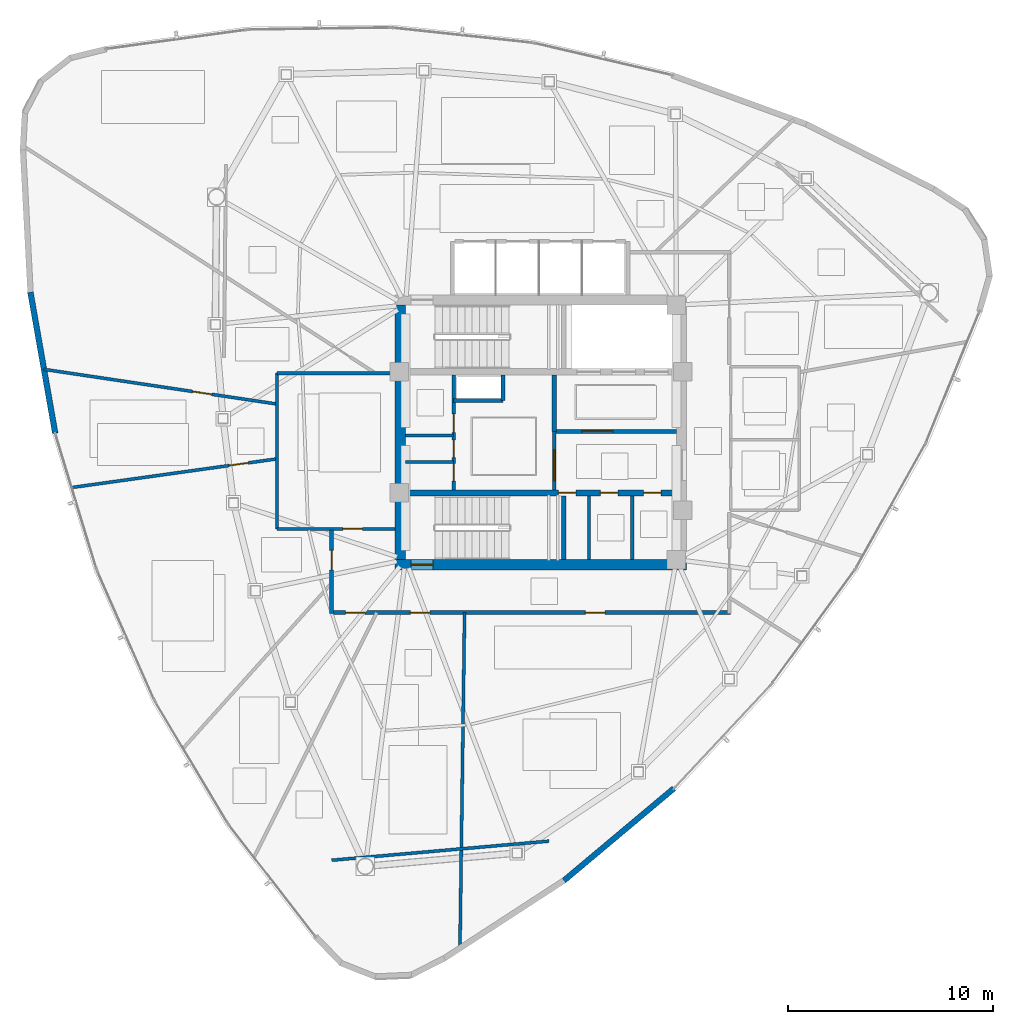
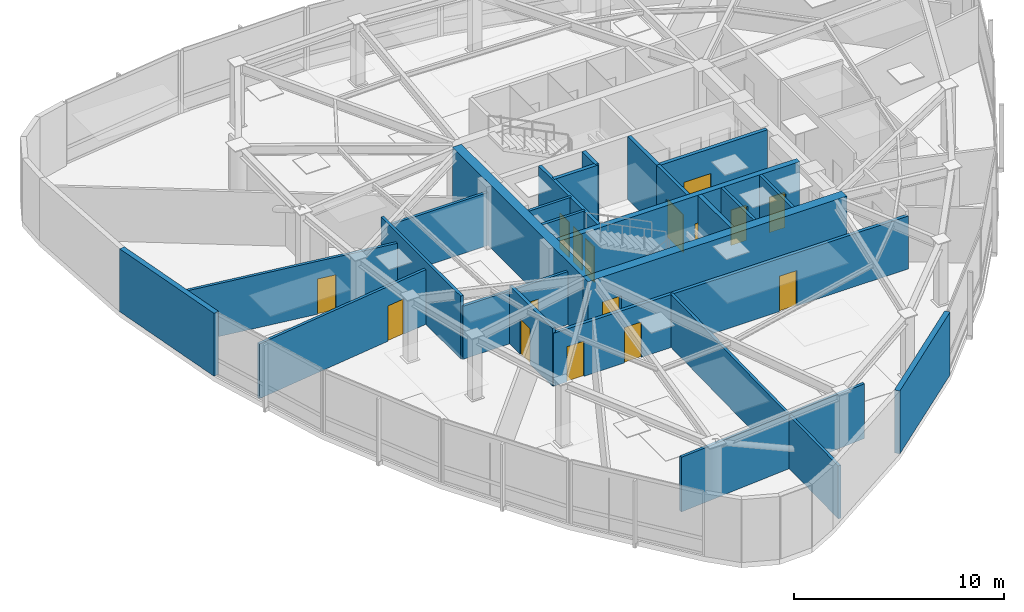
# One storey, part 9 of 14: 25 walls, 16 doors, 16 openings.
"""IFC4 building model written with IfcOpenShell, lengths in metres."""

from ifc_helpers import new_model, si_unit, direction, frame, frame_2d, origin, place, context, subcontext, project, spatial, rectangle, extrude, material, layer, layer_set, type_object, element, fill, save


model = new_model("IFC4")

# Units and contexts
model_context = context("Model", 3, precision=1e-05, world=origin(), true_north=direction((0.0, 1.0)))
body_context = subcontext(model_context, "Body", "Model", "MODEL_VIEW")
ifc_project = project(units=[si_unit("LENGTHUNIT", "METRE"), si_unit("AREAUNIT", "SQUARE_METRE"), si_unit("VOLUMEUNIT", "CUBIC_METRE"), si_unit("PLANEANGLEUNIT", "RADIAN"), si_unit("MASSUNIT", "GRAM", prefix="KILO")], contexts=[model_context])

# Site, building, storey
site_placement = place(None, origin())
site = spatial("IfcSite", under=ifc_project, at=site_placement, CompositionType="ELEMENT")
building_placement = place(site_placement, origin())
building = spatial("IfcBuilding", under=site, at=building_placement, Name="Tavelor Broadcast Tower", CompositionType="ELEMENT")
storey_placement = place(building_placement, frame((0.0, 0.0, 253.75)))
storey = spatial("IfcBuildingStorey", under=building, at=storey_placement, Name="L60", CompositionType="ELEMENT", Elevation=253.75)

# Wall, opening, door
ifc_material_1 = material(Name="Concrete C50/60", Category="concrete")
ifc_layer_1 = layer(ifc_material_1, 0.5)
ifc_layer_set_1 = layer_set([ifc_layer_1], Name="Concrete C50/60")
wall_type_1 = type_object("IfcWallType", Name="Core Shear Wall 500 mm", PredefinedType="SHEAR", material=ifc_layer_set_1)
wall_1_placement = place(storey_placement, frame((42.89990234375, 38.550048828125, 0.0), z_axis=(0.0, 0.0, 1.0), x_axis=(1.0, 0.0, 0.0)))
wall_1 = element("IfcWall", 1, at=wall_1_placement, inside=storey, type_object=wall_type_1, Name="L60 Central Core Shear Wall S", PredefinedType="SHEAR", context=body_context, shape_type="SweptSolid", body=[
    extrude(rectangle(XDim=14.2001953125, YDim=0.5, at=frame_2d((7.10009765625, 0.0))), origin(), (0.0, 0.0, 1.0), 3.64990234375),
])
opening_1_placement = place(wall_1_placement, frame((0.780029296875, 0.0, 0.0)))
opening_1 = element("IfcOpeningElement", 2, at=opening_1_placement, cuts=wall_1, Name="Opening DR11", PredefinedType="OPENING", context=body_context, shape_type="SweptSolid", body=[
    extrude(rectangle(XDim=1.050048828125, YDim=2.199951171875, at=frame_2d((0.52490234375, 1.10009765625))), frame((0.0, 0.260009765625, 0.0), z_axis=(0.0, -1.0, 0.0), x_axis=(1.0, 0.0, 0.0)), (0.0, 0.0, 1.0), 0.52001953125),
])
ifc_material_2 = material(Name="Steel S355", Category="steel")
door_type_1 = type_object("IfcDoorType", Name="Stair Core Fire Escape Door 1050x2200", OperationType="NOTDEFINED", PredefinedType="DOOR", material=ifc_material_2)
door_1_placement = place(opening_1_placement, origin())
door_1 = element("IfcDoor", 3, at=door_1_placement, inside=storey, type_object=door_type_1, Name="L60 Stair ST2 Protected Exit Door", OperationType="SINGLE_SWING_RIGHT", OverallHeight=2.199951171875, OverallWidth=1.050048828125, PredefinedType="DOOR", context=body_context, shape_type="SweptSolid", body=[
    extrude(rectangle(XDim=1.050048828125, YDim=2.199951171875, at=frame_2d((0.52490234375, 1.10009765625))), frame((0.0, 0.02490234375, 0.0), z_axis=(0.0, -1.0, 0.0), x_axis=(1.0, 0.0, 0.0)), (0.0, 0.0, 1.0), 0.050048828125),
])
fill(opening_1, door_1)

# Wall
wall_2_placement = place(storey_placement, frame((43.14990234375, 38.800048828125, 0.0), z_axis=(0.0, 0.0, 1.0), x_axis=(0.0, 1.0, 0.0)))
element("IfcWall", 4, at=wall_2_placement, inside=storey, type_object=wall_type_1, Name="L60 Central Core Shear Wall W", PredefinedType="SHEAR", context=body_context, shape_type="SweptSolid", body=[
    extrude(rectangle(XDim=12.39990234375, YDim=0.5, at=frame_2d((6.199951171875, 0.0))), origin(), (0.0, 0.0, 1.0), 3.64990234375),
])

# Wall, openings, doors
ifc_layer_2 = layer(ifc_material_1, 0.300048828125)
ifc_layer_set_2 = layer_set([ifc_layer_2], Name="Concrete C50/60")
wall_type_2 = type_object("IfcWallType", Name="Core Spine Shear Wall 300 mm C50", PredefinedType="SHEAR", material=ifc_layer_set_2)
wall_3_placement = place(storey_placement, frame((43.39990234375, 42.050048828125, 0.0), z_axis=(0.0, 0.0, 1.0), x_axis=(1.0, 0.0, 0.0)))
wall_3 = element("IfcWall", 5, at=wall_3_placement, inside=storey, type_object=wall_type_2, Name="L60 Central Core Shear Wall SP2", PredefinedType="SHEAR", context=body_context, shape_type="SweptSolid", body=[
    extrude(rectangle(XDim=13.2001953125, YDim=0.300048828125, at=frame_2d((6.60009765625, 0.0))), origin(), (0.0, 0.0, 1.0), 3.64990234375),
])
opening_2_placement = place(wall_3_placement, frame((7.449951171875, 0.0, 0.0)))
opening_2 = element("IfcOpeningElement", 6, at=opening_2_placement, cuts=wall_3, Name="Opening DR36", PredefinedType="OPENING", context=body_context, shape_type="SweptSolid", body=[
    extrude(rectangle(XDim=0.85009765625, YDim=2.050048828125, at=frame_2d((0.425048828125, 1.02490234375))), frame((0.0, 0.16015625, 0.0), z_axis=(0.0, -1.0, 0.0), x_axis=(1.0, 0.0, 0.0)), (0.0, 0.0, 1.0), 0.320068359375),
])
opening_3_placement = place(wall_3_placement, frame((9.5, 0.0, 0.0)))
opening_3 = element("IfcOpeningElement", 7, at=opening_3_placement, cuts=wall_3, Name="Opening DR36", PredefinedType="OPENING", context=body_context, shape_type="SweptSolid", body=[
    extrude(rectangle(XDim=0.85009765625, YDim=2.050048828125, at=frame_2d((0.425048828125, 1.02490234375))), frame((0.0, 0.16015625, 0.0), z_axis=(0.0, -1.0, 0.0), x_axis=(1.0, 0.0, 0.0)), (0.0, 0.0, 1.0), 0.320068359375),
])
opening_4_placement = place(wall_3_placement, frame((11.60009765625, 0.0, 0.0)))
opening_4 = element("IfcOpeningElement", 8, at=opening_4_placement, cuts=wall_3, Name="Opening DR36", PredefinedType="OPENING", context=body_context, shape_type="SweptSolid", body=[
    extrude(rectangle(XDim=0.85009765625, YDim=2.050048828125, at=frame_2d((0.425048828125, 1.02490234375))), frame((0.0, 0.16015625, 0.0), z_axis=(0.0, -1.0, 0.0), x_axis=(1.0, 0.0, 0.0)), (0.0, 0.0, 1.0), 0.320068359375),
])
door_type_2 = type_object("IfcDoorType", Name="Service Room Fire Door 850x2050", OperationType="NOTDEFINED", PredefinedType="DOOR", material=ifc_material_2)
door_2_placement = place(opening_2_placement, origin())
door_2 = element("IfcDoor", 9, at=door_2_placement, inside=storey, type_object=door_type_2, Name="L60 Reclaimed South Core Pod 1 Door", OperationType="SINGLE_SWING_LEFT", OverallHeight=2.050048828125, OverallWidth=0.85009765625, PredefinedType="DOOR", context=body_context, shape_type="SweptSolid", body=[
    extrude(rectangle(XDim=0.85009765625, YDim=2.050048828125, at=frame_2d((0.425048828125, 1.02490234375))), frame((0.0, 0.02490234375, 0.0), z_axis=(0.0, -1.0, 0.0), x_axis=(1.0, 0.0, 0.0)), (0.0, 0.0, 1.0), 0.050048828125),
])
fill(opening_2, door_2)
door_3_placement = place(opening_3_placement, origin())
door_3 = element("IfcDoor", 10, at=door_3_placement, inside=storey, type_object=door_type_2, Name="L60 Reclaimed South Core Pod 2 Door", OperationType="SINGLE_SWING_RIGHT", OverallHeight=2.050048828125, OverallWidth=0.85009765625, PredefinedType="DOOR", context=body_context, shape_type="SweptSolid", body=[
    extrude(rectangle(XDim=0.85009765625, YDim=2.050048828125, at=frame_2d((0.425048828125, 1.02490234375))), frame((0.0, 0.02490234375, 0.0), z_axis=(0.0, -1.0, 0.0), x_axis=(1.0, 0.0, 0.0)), (0.0, 0.0, 1.0), 0.050048828125),
])
fill(opening_3, door_3)
door_4_placement = place(opening_4_placement, origin())
door_4 = element("IfcDoor", 11, at=door_4_placement, inside=storey, type_object=door_type_2, Name="L60 Reclaimed South Core Pod 3 Door", OperationType="SINGLE_SWING_LEFT", OverallHeight=2.050048828125, OverallWidth=0.85009765625, PredefinedType="DOOR", context=body_context, shape_type="SweptSolid", body=[
    extrude(rectangle(XDim=0.85009765625, YDim=2.050048828125, at=frame_2d((0.425048828125, 1.02490234375))), frame((0.0, 0.02490234375, 0.0), z_axis=(0.0, -1.0, 0.0), x_axis=(1.0, 0.0, 0.0)), (0.0, 0.0, 1.0), 0.050048828125),
])
fill(opening_4, door_4)

# Wall, opening, door
ifc_material_3 = material(Name="Calcium Silicate Fire Board 180 mm", Category="gypsum")
ifc_layer_3 = layer(ifc_material_3, 0.179931640625)
ifc_layer_set_3 = layer_set([ifc_layer_3], Name="Calcium Silicate Fire Board 180 mm")
wall_type_3 = type_object("IfcWallType", Name="Fire-Rated Corridor Partition Wall 180 mm", PredefinedType="PARTITIONING", material=ifc_layer_set_3)
wall_4_placement = place(storey_placement, frame((50.64990234375, 42.199951171875, 0.0), z_axis=(0.0, 0.0, 1.0), x_axis=(0.0, 1.0, 0.0)))
wall_4 = element("IfcWall", 12, at=wall_4_placement, inside=storey, type_object=wall_type_3, Name="L60 Core Lobby Zoning Wall", PredefinedType="PARTITIONING", context=body_context, shape_type="SweptSolid", body=[
    extrude(rectangle(XDim=2.85009765625, YDim=0.179931640625, at=frame_2d((1.425048828125, 0.0))), origin(), (0.0, 0.0, 1.0), 3.64990234375),
])
opening_5_placement = place(wall_4_placement, frame((0.449951171875, 0.0, 0.0)))
opening_5 = element("IfcOpeningElement", 13, at=opening_5_placement, cuts=wall_4, Name="Opening DR14", PredefinedType="OPENING", context=body_context, shape_type="SweptSolid", body=[
    extrude(rectangle(XDim=1.5, YDim=2.199951171875, at=frame_2d((0.75, 1.10009765625))), frame((0.0, 0.10009765625, 0.0), z_axis=(0.0, -1.0, 0.0), x_axis=(1.0, 0.0, 0.0)), (0.0, 0.0, 1.0), 0.199951171875),
])
door_type_3 = type_object("IfcDoorType", Name="Firefighting Lobby Double Fire Door 1500x2200", OperationType="NOTDEFINED", PredefinedType="DOOR", material=ifc_material_2)
door_5_placement = place(opening_5_placement, origin())
door_5 = element("IfcDoor", 14, at=door_5_placement, inside=storey, type_object=door_type_3, Name="L60 Core West Lobby Double Fire Door", OperationType="SINGLE_SWING_RIGHT", OverallHeight=2.199951171875, OverallWidth=1.5, PredefinedType="DOOR", context=body_context, shape_type="SweptSolid", body=[
    extrude(rectangle(XDim=1.5, YDim=2.199951171875, at=frame_2d((0.75, 1.10009765625))), frame((0.0, 0.02490234375, 0.0), z_axis=(0.0, -1.0, 0.0), x_axis=(1.0, 0.0, 0.0)), (0.0, 0.0, 1.0), 0.050048828125),
])
fill(opening_5, door_5)

# Wall, openings, doors
wall_5_placement = place(storey_placement, frame((45.75, 42.199951171875, 0.0), z_axis=(0.0, 0.0, 1.0), x_axis=(0.0, 1.0, 0.0)))
wall_5 = element("IfcWall", 15, at=wall_5_placement, inside=storey, type_object=wall_type_3, Name="L60 Core West Service East Wall", PredefinedType="PARTITIONING", context=body_context, shape_type="SweptSolid", body=[
    extrude(rectangle(XDim=5.60009765625, YDim=0.179931640625, at=frame_2d((2.800048828125, 0.0))), origin(), (0.0, 0.0, 1.0), 3.64990234375),
])
opening_6_placement = place(wall_5_placement, frame((0.419921875, 0.0, 0.0)))
opening_6 = element("IfcOpeningElement", 16, at=opening_6_placement, cuts=wall_5, Name="Opening DR36", PredefinedType="OPENING", context=body_context, shape_type="SweptSolid", body=[
    extrude(rectangle(XDim=0.85009765625, YDim=2.050048828125, at=frame_2d((0.425048828125, 1.02490234375))), frame((0.0, 0.10009765625, 0.0), z_axis=(0.0, -1.0, 0.0), x_axis=(1.0, 0.0, 0.0)), (0.0, 0.0, 1.0), 0.199951171875),
])
opening_7_placement = place(wall_5_placement, frame((1.570068359375, 0.0, 0.0)))
opening_7 = element("IfcOpeningElement", 17, at=opening_7_placement, cuts=wall_5, Name="Opening DR36", PredefinedType="OPENING", context=body_context, shape_type="SweptSolid", body=[
    extrude(rectangle(XDim=0.85009765625, YDim=2.050048828125, at=frame_2d((0.425048828125, 1.02490234375))), frame((0.0, 0.10009765625, 0.0), z_axis=(0.0, -1.0, 0.0), x_axis=(1.0, 0.0, 0.0)), (0.0, 0.0, 1.0), 0.199951171875),
])
opening_8_placement = place(wall_5_placement, frame((2.800048828125, 0.0, 0.0)))
opening_8 = element("IfcOpeningElement", 18, at=opening_8_placement, cuts=wall_5, Name="Opening DR32", PredefinedType="OPENING", context=body_context, shape_type="SweptSolid", body=[
    extrude(rectangle(XDim=0.89990234375, YDim=2.050048828125, at=frame_2d((0.449951171875, 1.02490234375))), frame((0.0, 0.10009765625, 0.0), z_axis=(0.0, -1.0, 0.0), x_axis=(1.0, 0.0, 0.0)), (0.0, 0.0, 1.0), 0.199951171875),
])
ifc_material_4 = material(Name="Timber Solid Core Hardwood", Category="wood")
door_type_4 = type_object("IfcDoorType", Name="Accessible Washroom Door 900x2050", OperationType="NOTDEFINED", PredefinedType="DOOR", material=ifc_material_4)
door_6_placement = place(opening_8_placement, origin())
door_6 = element("IfcDoor", 19, at=door_6_placement, inside=storey, type_object=door_type_4, Name="L60 Core Accessible WC Door", OperationType="SINGLE_SWING_LEFT", OverallHeight=2.050048828125, OverallWidth=0.89990234375, PredefinedType="DOOR", context=body_context, shape_type="SweptSolid", body=[
    extrude(rectangle(XDim=0.89990234375, YDim=2.050048828125, at=frame_2d((0.449951171875, 1.02490234375))), frame((0.0, 0.02490234375, 0.0), z_axis=(0.0, -1.0, 0.0), x_axis=(1.0, 0.0, 0.0)), (0.0, 0.0, 1.0), 0.050048828125),
])
fill(opening_8, door_6)
door_7_placement = place(opening_6_placement, origin())
door_7 = element("IfcDoor", 20, at=door_7_placement, inside=storey, type_object=door_type_2, Name="L60 Core Medical Room Door", OperationType="SINGLE_SWING_LEFT", OverallHeight=2.050048828125, OverallWidth=0.85009765625, PredefinedType="DOOR", context=body_context, shape_type="SweptSolid", body=[
    extrude(rectangle(XDim=0.85009765625, YDim=2.050048828125, at=frame_2d((0.425048828125, 1.02490234375))), frame((0.0, 0.02490234375, 0.0), z_axis=(0.0, -1.0, 0.0), x_axis=(1.0, 0.0, 0.0)), (0.0, 0.0, 1.0), 0.050048828125),
])
fill(opening_6, door_7)
door_8_placement = place(opening_7_placement, origin())
door_8 = element("IfcDoor", 21, at=door_8_placement, inside=storey, type_object=door_type_2, Name="L60 Core Copy Room Door", OperationType="SINGLE_SWING_RIGHT", OverallHeight=2.050048828125, OverallWidth=0.85009765625, PredefinedType="DOOR", context=body_context, shape_type="SweptSolid", body=[
    extrude(rectangle(XDim=0.85009765625, YDim=2.050048828125, at=frame_2d((0.425048828125, 1.02490234375))), frame((0.0, 0.02490234375, 0.0), z_axis=(0.0, -1.0, 0.0), x_axis=(1.0, 0.0, 0.0)), (0.0, 0.0, 1.0), 0.050048828125),
])
fill(opening_7, door_8)

wall_6_placement = place(storey_placement, frame((59.22998046875, 36.219970703125, 0.0), z_axis=(0.0, 0.0, 1.0), x_axis=(-1.0, 0.0, 0.0)))
wall_6 = element("IfcWall", 22, at=wall_6_placement, inside=storey, type_object=wall_type_3, Name="L60 Corridor Compartment Wall 04", PredefinedType="PARTITIONING", context=body_context, shape_type="SweptSolid", body=[
    extrude(rectangle(XDim=19.47998046875, YDim=0.179931640625, at=frame_2d((9.739990234375, 0.0))), origin(), (0.0, 0.0, 1.0), 3.074951171875),
])
opening_9_placement = place(wall_6_placement, frame((6.118896484375, 0.0, 0.0)))
opening_9 = element("IfcOpeningElement", 23, at=opening_9_placement, cuts=wall_6, Name="Opening DR18", PredefinedType="OPENING", context=body_context, shape_type="SweptSolid", body=[
    extrude(rectangle(XDim=0.949951171875, YDim=2.050048828125, at=frame_2d((0.47509765625, 1.02490234375))), frame((0.0, 0.10009765625, 0.0), z_axis=(0.0, -1.0, 0.0), x_axis=(1.0, 0.0, 0.0)), (0.0, 0.0, 1.0), 0.199951171875),
])
opening_10_placement = place(wall_6_placement, frame((14.638671875, 0.0, 0.0)))
opening_10 = element("IfcOpeningElement", 24, at=opening_10_placement, cuts=wall_6, Name="Opening DR18", PredefinedType="OPENING", context=body_context, shape_type="SweptSolid", body=[
    extrude(rectangle(XDim=0.949951171875, YDim=2.050048828125, at=frame_2d((0.47509765625, 1.02490234375))), frame((0.0, 0.10009765625, 0.0), z_axis=(0.0, -1.0, 0.0), x_axis=(1.0, 0.0, 0.0)), (0.0, 0.0, 1.0), 0.199951171875),
])
opening_11_placement = place(wall_6_placement, frame((17.794921875, 0.0, 0.0)))
opening_11 = element("IfcOpeningElement", 25, at=opening_11_placement, cuts=wall_6, Name="Opening DR18", PredefinedType="OPENING", context=body_context, shape_type="SweptSolid", body=[
    extrude(rectangle(XDim=0.949951171875, YDim=2.050048828125, at=frame_2d((0.47509765625, 1.02490234375))), frame((0.0, 0.10009765625, 0.0), z_axis=(0.0, -1.0, 0.0), x_axis=(1.0, 0.0, 0.0)), (0.0, 0.0, 1.0), 0.199951171875),
])
door_type_5 = type_object("IfcDoorType", Name="Corridor Rated Compartment Door 950x2050", OperationType="NOTDEFINED", PredefinedType="DOOR", material=ifc_material_4)
door_9_placement = place(opening_9_placement, origin())
door_9 = element("IfcDoor", 26, at=door_9_placement, inside=storey, type_object=door_type_5, Name="L60 Standards Huddle Room Door R0", OperationType="SINGLE_SWING_RIGHT", OverallHeight=2.050048828125, OverallWidth=0.949951171875, PredefinedType="DOOR", context=body_context, shape_type="SweptSolid", body=[
    extrude(rectangle(XDim=0.949951171875, YDim=2.050048828125, at=frame_2d((0.47509765625, 1.02490234375))), frame((0.0, 0.02490234375, 0.0), z_axis=(0.0, -1.0, 0.0), x_axis=(1.0, 0.0, 0.0)), (0.0, 0.0, 1.0), 0.050048828125),
])
fill(opening_9, door_9)
door_10_placement = place(opening_10_placement, origin())
door_10 = element("IfcDoor", 27, at=door_10_placement, inside=storey, type_object=door_type_5, Name="L60 Creative Huddle Room Door R1", OperationType="SINGLE_SWING_LEFT", OverallHeight=2.050048828125, OverallWidth=0.949951171875, PredefinedType="DOOR", context=body_context, shape_type="SweptSolid", body=[
    extrude(rectangle(XDim=0.949951171875, YDim=2.050048828125, at=frame_2d((0.47509765625, 1.02490234375))), frame((0.0, 0.02490234375, 0.0), z_axis=(0.0, -1.0, 0.0), x_axis=(1.0, 0.0, 0.0)), (0.0, 0.0, 1.0), 0.050048828125),
])
fill(opening_10, door_10)
door_11_placement = place(opening_11_placement, origin())
door_11 = element("IfcDoor", 28, at=door_11_placement, inside=storey, type_object=door_type_5, Name="L60 Newsroom Huddle Room Door R2", OperationType="SINGLE_SWING_RIGHT", OverallHeight=2.050048828125, OverallWidth=0.949951171875, PredefinedType="DOOR", context=body_context, shape_type="SweptSolid", body=[
    extrude(rectangle(XDim=0.949951171875, YDim=2.050048828125, at=frame_2d((0.47509765625, 1.02490234375))), frame((0.0, 0.02490234375, 0.0), z_axis=(0.0, -1.0, 0.0), x_axis=(1.0, 0.0, 0.0)), (0.0, 0.0, 1.0), 0.050048828125),
])
fill(opening_11, door_11)

# Wall, opening, door
wall_7_placement = place(storey_placement, frame((39.800048828125, 36.169921875, 0.0), z_axis=(0.0, 0.0, 1.0), x_axis=(0.0, 1.0, 0.0)))
wall_7 = element("IfcWall", 29, at=wall_7_placement, inside=storey, type_object=wall_type_3, Name="L60 Corridor Compartment Wall 05", PredefinedType="PARTITIONING", context=body_context, shape_type="SweptSolid", body=[
    extrude(rectangle(XDim=4.080078125, YDim=0.179931640625, at=frame_2d((2.0400390625, 0.0))), origin(), (0.0, 0.0, 1.0), 3.35498046875),
])
opening_12_placement = place(wall_7_placement, frame((2.128173828125, 0.0, 0.0)))
opening_12 = element("IfcOpeningElement", 30, at=opening_12_placement, cuts=wall_7, Name="Opening DR18", PredefinedType="OPENING", context=body_context, shape_type="SweptSolid", body=[
    extrude(rectangle(XDim=0.949951171875, YDim=2.050048828125, at=frame_2d((0.47509765625, 1.02490234375))), frame((0.0, 0.10009765625, 0.0), z_axis=(0.0, -1.0, 0.0), x_axis=(1.0, 0.0, 0.0)), (0.0, 0.0, 1.0), 0.199951171875),
])
door_12_placement = place(opening_12_placement, origin())
door_12 = element("IfcDoor", 31, at=door_12_placement, inside=storey, type_object=door_type_5, Name="L60 Producer Interview Room Door R3", OperationType="SINGLE_SWING_LEFT", OverallHeight=2.050048828125, OverallWidth=0.949951171875, PredefinedType="DOOR", context=body_context, shape_type="SweptSolid", body=[
    extrude(rectangle(XDim=0.949951171875, YDim=2.050048828125, at=frame_2d((0.47509765625, 1.02490234375))), frame((0.0, 0.02490234375, 0.0), z_axis=(0.0, -1.0, 0.0), x_axis=(1.0, 0.0, 0.0)), (0.0, 0.0, 1.0), 0.050048828125),
])
fill(opening_12, door_12)

# Walls
ifc_material_5 = material(Name="Precast Concrete C40/50", Category="concrete")
ifc_layer_4 = layer(ifc_material_5, 0.280029296875)
ifc_layer_set_4 = layer_set([ifc_layer_4], Name="Precast Concrete C40/50")
wall_type_4 = type_object("IfcWallType", Name="Insulated Precast Terracotta Facade Wall 280 mm", PredefinedType="STANDARD", material=ifc_layer_set_4)
wall_8_placement = place(storey_placement, frame((25.125, 51.83203125, 0.0), z_axis=(0.0, 0.0, 1.0), x_axis=(0.173183155721, -0.984889635733, 0.0)))
element("IfcWall", 32, at=wall_8_placement, inside=storey, type_object=wall_type_4, Name="L60 Rounded Corner Structural Cladding Pier 06", PredefinedType="STANDARD", context=body_context, shape_type="SweptSolid", body=[
    extrude(rectangle(XDim=6.985107421875, YDim=0.280029296875, at=frame_2d((3.49267578125, 0.0))), origin(), (0.0, 0.0, 1.0), 3.64990234375),
])
wall_9_placement = place(storey_placement, frame((51.120849609375, 23.1591796875, 0.0), z_axis=(0.0, 0.0, 1.0), x_axis=(0.766321422368, 0.642457374166, 0.0)))
element("IfcWall", 33, at=wall_9_placement, inside=storey, type_object=wall_type_4, Name="L60 Rounded Corner Structural Cladding Pier 16", PredefinedType="STANDARD", context=body_context, shape_type="SweptSolid", body=[
    extrude(rectangle(XDim=6.9853515625, YDim=0.280029296875, at=frame_2d((3.49267578125, 0.0))), origin(), (0.0, 0.0, 1.0), 3.64990234375),
])
ifc_material_6 = material(Name="Gypsum Acoustic Plasterboard 150 mm", Category="gypsum")
ifc_layer_5 = layer(ifc_material_6, 0.14990234375)
ifc_layer_set_5 = layer_set([ifc_layer_5], Name="Gypsum Acoustic Plasterboard 150 mm")
wall_type_5 = type_object("IfcWallType", Name="Interior Acoustic Partition Wall 150 mm", PredefinedType="PARTITIONING", material=ifc_layer_set_5)
for number, where, z_axis, x_axis, name in (
    (34, (52.35009765625, 38.800048828125, 0.0), (0.0, 0.0, 1.0), (0.0, 1.0, 0.0), "L60 Reclaimed South Core Divider 1"),
    (35, (54.449951171875, 38.800048828125, 0.0), (0.0, 0.0, 1.0), (0.0, 1.0, 0.0), "L60 Reclaimed South Core Divider 2"),
):
    element("IfcWall", number, at=place(storey_placement, frame(where, z_axis=z_axis, x_axis=x_axis)), inside=storey, type_object=wall_type_5, Name=name, PredefinedType="PARTITIONING", context=body_context, shape_type="SweptSolid", body=[
        extrude(rectangle(XDim=3.099853515625, YDim=0.14990234375, at=frame_2d((1.5498046875, 0.0))), origin(), (0.0, 0.0, 1.0), 3.64990234375),
    ])
for number, where, z_axis, x_axis, name in (
    (36, (43.39990234375, 43.550048828125, 0.0), (0.0, 0.0, 1.0), (1.0, 0.0, 0.0), "L60 Core Split Wall B1"),
    (37, (43.39990234375, 44.85009765625, 0.0), (0.0, 0.0, 1.0), (1.0, 0.0, 0.0), "L60 Core Split Wall B2"),
):
    element("IfcWall", number, at=place(storey_placement, frame(where, z_axis=z_axis, x_axis=x_axis)), inside=storey, type_object=wall_type_5, Name=name, PredefinedType="PARTITIONING", context=body_context, shape_type="SweptSolid", body=[
        extrude(rectangle(XDim=2.35009765625, YDim=0.14990234375, at=frame_2d((1.175048828125, 0.0))), origin(), (0.0, 0.0, 1.0), 3.64990234375),
    ])
wall_10_placement = place(storey_placement, frame((39.807861328125, 24.15185546875, 0.0), z_axis=(0.0, 0.0, 1.0), x_axis=(0.996153584085, 0.087624408208, 0.0)))
element("IfcWall", 38, at=wall_10_placement, inside=storey, type_object=wall_type_5, Name="L60 Corner Tube Brace Furring Wall 2", PredefinedType="PARTITIONING", context=body_context, shape_type="SweptSolid", body=[
    extrude(rectangle(XDim=10.63232421875, YDim=0.14990234375, at=frame_2d((5.316162109375, 0.0))), origin(), (0.0, 0.0, 1.0), 3.175048828125),
])

# Wall, opening, door
wall_11_placement = place(storey_placement, frame((37.139892578125, 40.300048828125, 0.0), z_axis=(0.0, 0.0, 1.0), x_axis=(1.0, 0.0, 0.0)))
wall_11 = element("IfcWall", 39, at=wall_11_placement, inside=storey, type_object=wall_type_5, Name="L60 Reclaimed Shaft Pantry South Wall", PredefinedType="PARTITIONING", context=body_context, shape_type="SweptSolid", body=[
    extrude(rectangle(XDim=5.760009765625, YDim=0.14990234375, at=frame_2d((2.8798828125, 0.0))), origin(), (0.0, 0.0, 1.0), 3.074951171875),
])
opening_13_placement = place(wall_11_placement, frame((3.2099609375, 0.0, 0.0)))
opening_13 = element("IfcOpeningElement", 40, at=opening_13_placement, cuts=wall_11, Name="Opening DR18", PredefinedType="OPENING", context=body_context, shape_type="SweptSolid", body=[
    extrude(rectangle(XDim=0.949951171875, YDim=2.050048828125, at=frame_2d((0.47509765625, 1.02490234375))), frame((0.0, 0.0849609375, 0.0), z_axis=(0.0, -1.0, 0.0), x_axis=(1.0, 0.0, 0.0)), (0.0, 0.0, 1.0), 0.169921875),
])
door_13_placement = place(opening_13_placement, origin())
door_13 = element("IfcDoor", 41, at=door_13_placement, inside=storey, type_object=door_type_5, Name="L60 Broadcast IT Patch and Pantry Door", OperationType="SINGLE_SWING_LEFT", OverallHeight=2.050048828125, OverallWidth=0.949951171875, PredefinedType="DOOR", context=body_context, shape_type="SweptSolid", body=[
    extrude(rectangle(XDim=0.949951171875, YDim=2.050048828125, at=frame_2d((0.47509765625, 1.02490234375))), frame((0.0, 0.02490234375, 0.0), z_axis=(0.0, -1.0, 0.0), x_axis=(1.0, 0.0, 0.0)), (0.0, 0.0, 1.0), 0.050048828125),
])
fill(opening_13, door_13)

# Walls
wall_12_placement = place(storey_placement, frame((37.139892578125, 40.300048828125, 0.0), z_axis=(0.0, 0.0, 1.0), x_axis=(0.0, 1.0, 0.0)))
element("IfcWall", 42, at=wall_12_placement, inside=storey, type_object=wall_type_5, Name="L60 Reclaimed Shaft Pantry West Wall", PredefinedType="PARTITIONING", context=body_context, shape_type="SweptSolid", body=[
    extrude(rectangle(XDim=7.579833984375, YDim=0.14990234375, at=frame_2d((3.7900390625, 0.0))), origin(), (0.0, 0.0, 1.0), 3.64990234375),
])
wall_13_placement = place(storey_placement, frame((37.139892578125, 47.8798828125, 0.0), z_axis=(0.0, 0.0, 1.0), x_axis=(1.0, 0.0, 0.0)))
element("IfcWall", 43, at=wall_13_placement, inside=storey, type_object=wall_type_5, Name="L60 Reclaimed Shaft Pantry North Wall", PredefinedType="PARTITIONING", context=body_context, shape_type="SweptSolid", body=[
    extrude(rectangle(XDim=5.760009765625, YDim=0.14990234375, at=frame_2d((2.8798828125, 0.0))), origin(), (0.0, 0.0, 1.0), 3.074951171875),
])

# Wall, opening, door
wall_14_placement = place(storey_placement, frame((37.080078125, 46.387451171875, 0.0), z_axis=(0.0, 0.0, 1.0), x_axis=(-0.989098719456, 0.147253941106, 0.0)))
wall_14 = element("IfcWall", 44, at=wall_14_placement, inside=storey, type_object=wall_type_5, Name="L60 Radial Compartment Wall 02", PredefinedType="PARTITIONING", context=body_context, shape_type="SweptSolid", body=[
    extrude(rectangle(XDim=11.42822265625, YDim=0.14990234375, at=frame_2d((5.714111328125, 0.0))), origin(), (0.0, 0.0, 1.0), 3.074951171875),
])
opening_14_placement = place(wall_14_placement, frame((3.14990234375, 0.0, 0.0)))
opening_14 = element("IfcOpeningElement", 45, at=opening_14_placement, cuts=wall_14, Name="Opening DR18", PredefinedType="OPENING", context=body_context, shape_type="SweptSolid", body=[
    extrude(rectangle(XDim=0.949951171875, YDim=2.050048828125, at=frame_2d((0.47509765625, 1.02490234375))), frame((0.0, 0.0849609375, 0.0), z_axis=(0.0, -1.0, 0.0), x_axis=(1.0, 0.0, 0.0)), (0.0, 0.0, 1.0), 0.169921875),
])
door_14_placement = place(opening_14_placement, origin())
door_14 = element("IfcDoor", 46, at=door_14_placement, inside=storey, type_object=door_type_5, Name="L60 Suite Connecting Door 5", OperationType="SINGLE_SWING_LEFT", OverallHeight=2.050048828125, OverallWidth=0.949951171875, PredefinedType="DOOR", context=body_context, shape_type="SweptSolid", body=[
    extrude(rectangle(XDim=0.949951171875, YDim=2.050048828125, at=frame_2d((0.47509765625, 1.02490234375))), frame((0.0, 0.02490234375, 0.0), z_axis=(0.0, -1.0, 0.0), x_axis=(1.0, 0.0, 0.0)), (0.0, 0.0, 1.0), 0.050048828125),
])
fill(opening_14, door_14)

wall_15_placement = place(storey_placement, frame((37.080078125, 43.69873046875, 0.0), z_axis=(0.0, 0.0, 1.0), x_axis=(-0.990392593829, -0.13828416427, 0.0)))
wall_15 = element("IfcWall", 47, at=wall_15_placement, inside=storey, type_object=wall_type_5, Name="L60 Radial Compartment Wall 03", PredefinedType="PARTITIONING", context=body_context, shape_type="SweptSolid", body=[
    extrude(rectangle(XDim=10.04736328125, YDim=0.14990234375, at=frame_2d((5.023681640625, 0.0))), origin(), (0.0, 0.0, 1.0), 3.175048828125),
])
opening_15_placement = place(wall_15_placement, frame((1.35009765625, 0.0, 0.0)))
opening_15 = element("IfcOpeningElement", 48, at=opening_15_placement, cuts=wall_15, Name="Opening DR18", PredefinedType="OPENING", context=body_context, shape_type="SweptSolid", body=[
    extrude(rectangle(XDim=0.949951171875, YDim=2.050048828125, at=frame_2d((0.47509765625, 1.02490234375))), frame((0.0, 0.0849609375, 0.0), z_axis=(0.0, -1.0, 0.0), x_axis=(1.0, 0.0, 0.0)), (0.0, 0.0, 1.0), 0.169921875),
])
door_15_placement = place(opening_15_placement, origin())
door_15 = element("IfcDoor", 49, at=door_15_placement, inside=storey, type_object=door_type_5, Name="L60 Suite Connecting Door 4", OperationType="SINGLE_SWING_RIGHT", OverallHeight=2.050048828125, OverallWidth=0.949951171875, PredefinedType="DOOR", context=body_context, shape_type="SweptSolid", body=[
    extrude(rectangle(XDim=0.949951171875, YDim=2.050048828125, at=frame_2d((0.47509765625, 1.02490234375))), frame((0.0, 0.02490234375, 0.0), z_axis=(0.0, -1.0, 0.0), x_axis=(1.0, 0.0, 0.0)), (0.0, 0.0, 1.0), 0.050048828125),
])
fill(opening_15, door_15)

# Walls
wall_16_placement = place(storey_placement, frame((46.279296875, 36.219970703125, 0.0), z_axis=(0.0, 0.0, 1.0), x_axis=(-0.013739844255, -0.999905603885, 0.0)))
element("IfcWall", 50, at=wall_16_placement, inside=storey, type_object=wall_type_5, Name="L60 Radial Compartment Wall 06", PredefinedType="PARTITIONING", context=body_context, shape_type="SweptSolid", body=[
    extrude(rectangle(XDim=16.364990234375, YDim=0.14990234375, at=frame_2d((8.1826171875, 0.0))), origin(), (0.0, 0.0, 1.0), 3.074951171875),
])
ifc_material_7 = material(Name="Concrete Blockwork 200 mm", Category="masonry")
ifc_layer_6 = layer(ifc_material_7, 0.199951171875)
ifc_layer_set_6 = layer_set([ifc_layer_6], Name="Concrete Blockwork 200 mm")
wall_type_6 = type_object("IfcWallType", Name="Lift and Riser Shaft Enclosure Wall 200 mm", PredefinedType="PARTITIONING", material=ifc_layer_set_6)
wall_17_placement = place(storey_placement, frame((45.75, 46.550048828125, 0.0), z_axis=(0.0, 0.0, 1.0), x_axis=(1.0, 0.0, 0.0)))
element("IfcWall", 51, at=wall_17_placement, inside=storey, type_object=wall_type_6, Name="L60 Riser Shaft South Wall", PredefinedType="PARTITIONING", context=body_context, shape_type="SweptSolid", body=[
    extrude(rectangle(XDim=2.39990234375, YDim=0.199951171875, at=frame_2d((1.199951171875, 0.0))), origin(), (0.0, 0.0, 1.0), 3.64990234375),
])
wall_18_placement = place(storey_placement, frame((48.14990234375, 46.550048828125, 0.0), z_axis=(0.0, 0.0, 1.0), x_axis=(0.0, 1.0, 0.0)))
element("IfcWall", 52, at=wall_18_placement, inside=storey, type_object=wall_type_6, Name="L60 Riser Shaft East Wall", PredefinedType="PARTITIONING", context=body_context, shape_type="SweptSolid", body=[
    extrude(rectangle(XDim=1.25, YDim=0.199951171875, at=frame_2d((0.625, 0.0))), origin(), (0.0, 0.0, 1.0), 3.64990234375),
])

# Wall, opening, door
wall_19_placement = place(storey_placement, frame((50.64990234375, 45.050048828125, 0.0), z_axis=(0.0, 0.0, 1.0), x_axis=(1.0, 0.0, 0.0)))
wall_19 = element("IfcWall", 53, at=wall_19_placement, inside=storey, type_object=wall_type_6, Name="L60 Firefighting Lobby South Wall", PredefinedType="PARTITIONING", context=body_context, shape_type="SweptSolid", body=[
    extrude(rectangle(XDim=5.9501953125, YDim=0.199951171875, at=frame_2d((2.97509765625, 0.0))), origin(), (0.0, 0.0, 1.0), 3.64990234375),
])
opening_16_placement = place(wall_19_placement, frame((1.35009765625, 0.0, 0.0)))
opening_16 = element("IfcOpeningElement", 54, at=opening_16_placement, cuts=wall_19, Name="Opening DR14", PredefinedType="OPENING", context=body_context, shape_type="SweptSolid", body=[
    extrude(rectangle(XDim=1.5, YDim=2.199951171875, at=frame_2d((0.75, 1.10009765625))), frame((0.0, 0.10986328125, 0.0), z_axis=(0.0, -1.0, 0.0), x_axis=(1.0, 0.0, 0.0)), (0.0, 0.0, 1.0), 0.219970703125),
])
door_16_placement = place(opening_16_placement, origin())
door_16 = element("IfcDoor", 55, at=door_16_placement, inside=storey, type_object=door_type_3, Name="L60 Firefighting Lobby Compartment Door", OperationType="SINGLE_SWING_LEFT", OverallHeight=2.199951171875, OverallWidth=1.5, PredefinedType="DOOR", context=body_context, shape_type="SweptSolid", body=[
    extrude(rectangle(XDim=1.5, YDim=2.199951171875, at=frame_2d((0.75, 1.10009765625))), frame((0.0, 0.02490234375, 0.0), z_axis=(0.0, -1.0, 0.0), x_axis=(1.0, 0.0, 0.0)), (0.0, 0.0, 1.0), 0.050048828125),
])
fill(opening_16, door_16)

# Walls
wall_20_placement = place(storey_placement, frame((50.64990234375, 45.050048828125, 0.0), z_axis=(0.0, 0.0, 1.0), x_axis=(0.0, 1.0, 0.0)))
element("IfcWall", 56, at=wall_20_placement, inside=storey, type_object=wall_type_6, Name="L60 Firefighting Lobby West Wall", PredefinedType="PARTITIONING", context=body_context, shape_type="SweptSolid", body=[
    extrude(rectangle(XDim=2.75, YDim=0.199951171875, at=frame_2d((1.375, 0.0))), origin(), (0.0, 0.0, 1.0), 3.64990234375),
])
ifc_material_8 = material(Name="Concrete C40/50", Category="concrete")
ifc_layer_7 = layer(ifc_material_8, 0.219970703125)
ifc_layer_set_7 = layer_set([ifc_layer_7], Name="Concrete C40/50")
wall_type_7 = type_object("IfcWallType", Name="Structural Stairwell Shear Wall 220 mm", PredefinedType="SHEAR", material=ifc_layer_set_7)
wall_21_placement = place(storey_placement, frame((51.110107421875, 38.800048828125, 0.0), z_axis=(0.0, 0.0, 1.0), x_axis=(0.0, 1.0, 0.0)))
element("IfcWall", 57, at=wall_21_placement, inside=storey, type_object=wall_type_7, Name="L60 Stair ST2 Structural Shaft Wall", PredefinedType="SHEAR", context=body_context, shape_type="SweptSolid", body=[
    extrude(rectangle(XDim=3.099853515625, YDim=0.219970703125, at=frame_2d((1.5498046875, 0.0))), origin(), (0.0, 0.0, 1.0), 3.64990234375),
])

save(model, "model.ifc")
